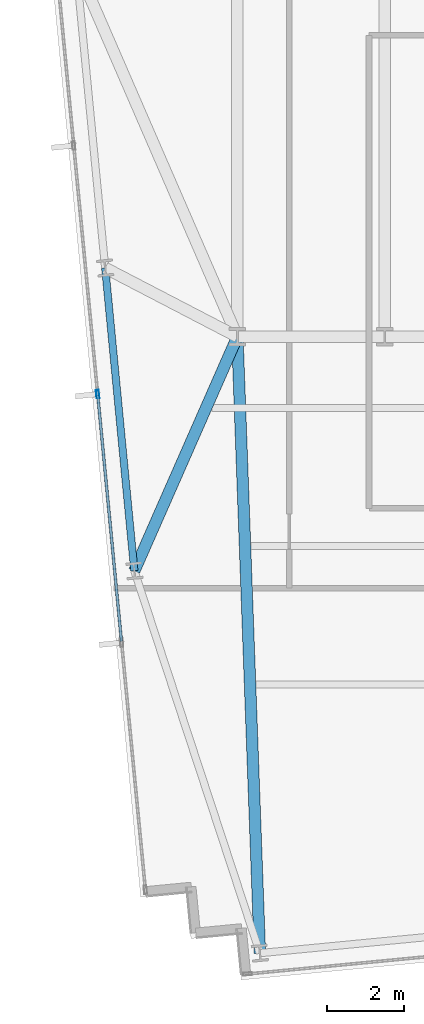
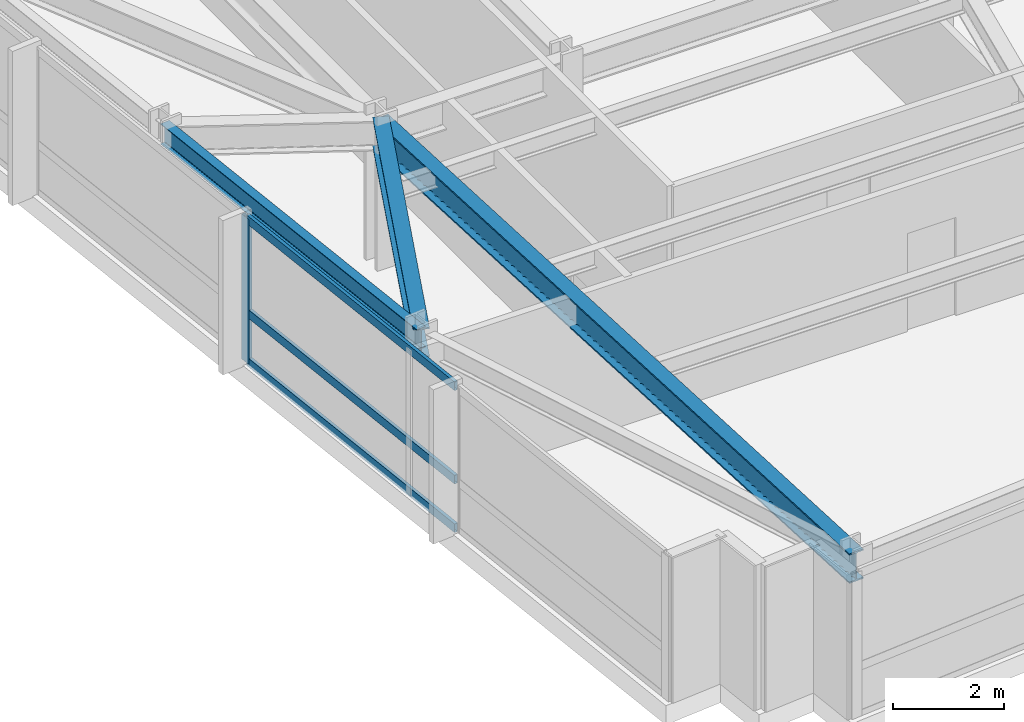
# One storey, part 3 of 33: 4 members, 3 beams, 1 element without a shape of its own.
"""IFC4 building model written with IfcOpenShell, lengths in metres."""

from ifc_helpers import new_model, si_unit, direction, frame, origin, origin_2d, place, context, subcontext, project, spatial, hollow_rectangle, i_section, extrude, material, material_profile, profile_set, type_object, element, aggregate, save


model = new_model("IFC4")

# Units and contexts
model_context = context("Model", 3, precision=1e-05, world=origin(), true_north=direction((0.0, 1.0)))
body_context = subcontext(model_context, "Body", "Model", "MODEL_VIEW")
ifc_project = project(units=[si_unit("LENGTHUNIT", "METRE"), si_unit("AREAUNIT", "SQUARE_METRE"), si_unit("VOLUMEUNIT", "CUBIC_METRE"), si_unit("PLANEANGLEUNIT", "RADIAN"), si_unit("MASSUNIT", "GRAM", prefix="KILO")], contexts=[model_context])

# Site, building, storey
site_placement = place(None, origin())
site = spatial("IfcSite", under=ifc_project, at=site_placement, CompositionType="ELEMENT")
building_placement = place(site_placement, origin())
building = spatial("IfcBuilding", under=site, at=building_placement, Name="Yelkora Congress Tower", CompositionType="ELEMENT")
storey_placement = place(building_placement, frame((0.0, 0.0, 89.699951171875)))
storey = spatial("IfcBuildingStorey", under=building, at=storey_placement, Name="L23", CompositionType="ELEMENT", Elevation=89.699951171875)

# Beams
ifc_material_1 = material(Name="Steel S355J2", Category="steel")
ifc_material_profile_1 = material_profile(ifc_material_1, i_section(OverallWidth=0.300048828125, OverallDepth=0.64990234375, WebThickness=0.01611328125, FlangeThickness=0.031005859375, FilletRadius=0.027099609375, at=origin_2d()), Name="HEB 650")
ifc_profile_set_1 = profile_set([ifc_material_profile_1], Name="Steel S355J2")
beam_type_1 = type_object("IfcBeamType", Name="BM-GIRD-HEB650", PredefinedType="BEAM", material=ifc_profile_set_1)
beam_1_placement = place(storey_placement, frame((19.785888671875, 9.144287109375, 2.85498046875), z_axis=(-0.03646985294, 0.999334753637, 0.0), x_axis=(-0.999334753637, -0.03646985294, 0.0)))
element("IfcBeam", 1, at=beam_1_placement, inside=storey, type_object=beam_type_1, Name="L23 Primary Frame Girder S01", PredefinedType="BEAM", context=body_context, shape_type="SweptSolid", body=[
    extrude(i_section(OverallWidth=0.300048828125, OverallDepth=0.64990234375, WebThickness=0.01611328125, FlangeThickness=0.031005859375, FilletRadius=0.027099609375, at=origin_2d()), origin(), (0.0, 0.0, 1.0), 16.06640625),
])
beam_2_placement = place(storey_placement, frame((16.5166015625, 19.101806640625, 2.85498046875), z_axis=(0.402759490709, 0.915305846504, 0.0), x_axis=(-0.915305846504, 0.402759490709, 0.0)))
element("IfcBeam", 2, at=beam_2_placement, inside=storey, type_object=beam_type_1, Name="L23 Primary Frame Girder W01", PredefinedType="BEAM", context=body_context, shape_type="SweptSolid", body=[
    extrude(i_section(OverallWidth=0.300048828125, OverallDepth=0.64990234375, WebThickness=0.01611328125, FlangeThickness=0.031005859375, FilletRadius=0.027099609375, at=origin_2d()), origin(), (0.0, 0.0, 1.0), 6.662353515625),
])
ifc_material_profile_2 = material_profile(ifc_material_1, i_section(OverallWidth=0.18994140625, OverallDepth=0.449951171875, WebThickness=0.009521484375, FlangeThickness=0.0146484375, FilletRadius=0.02099609375, at=origin_2d()), Name="IPE 450")
ifc_profile_set_2 = profile_set([ifc_material_profile_2], Name="Steel S355J2")
beam_type_2 = type_object("IfcBeamType", Name="BM-SPAN-IPE450", PredefinedType="SPANDREL", material=ifc_profile_set_2)
beam_3_placement = place(storey_placement, frame((15.757080078125, 26.990478515625, 2.955078125), z_axis=(0.09583684824, -0.995397055712, 0.0), x_axis=(0.995397055712, 0.09583684824, 0.0)))
element("IfcBeam", 3, at=beam_3_placement, inside=storey, type_object=beam_type_2, Name="L23 Perimeter Beam 1", PredefinedType="SPANDREL", context=body_context, shape_type="SweptSolid", body=[
    extrude(i_section(OverallWidth=0.18994140625, OverallDepth=0.449951171875, WebThickness=0.009521484375, FlangeThickness=0.0146484375, FilletRadius=0.02099609375, at=origin_2d()), origin(), (0.0, 0.0, 1.0), 7.925048828125),
])

# Curtain wall, members
ifc_material_2 = material(Name="Anodised aluminium and insulated glass", Category="aluminium")
curtain_wall_type = type_object("IfcCurtainWallType", Name="CW-SYS-SKY", PredefinedType="NOTDEFINED", material=ifc_material_2)
curtain_wall_placement = place(storey_placement, origin())
curtain_wall = element("IfcCurtainWall", 4, at=curtain_wall_placement, inside=storey, type_object=curtain_wall_type, Name="L23 Unitised Curtain Wall 5", PredefinedType="NOTDEFINED")
ifc_material_3 = material(Name="Anodised aluminium 6063-T6", Category="aluminium")
ifc_material_profile_3 = material_profile(ifc_material_3, hollow_rectangle(XDim=0.074951171875, YDim=0.219970703125, WallThickness=0.0048828125, at=origin_2d()), Name="ALU 75x220x5")
ifc_profile_set_3 = profile_set([ifc_material_profile_3], Name="Anodised aluminium 6063-T6")
member_type_1 = type_object("IfcMemberType", Name="MEM-ML-SKY", PredefinedType="MULLION", material=ifc_profile_set_3)
member_1_placement = place(storey_placement, frame((15.56103515625, 23.70458984375, 0.0), z_axis=(0.0, 0.0, 1.0), x_axis=(-0.995396507508, -0.095842541913, 0.0)))
member_1 = element("IfcMember", 5, at=member_1_placement, type_object=member_type_1, Name="CW-SKY mullion 3", PredefinedType="MULLION", context=body_context, shape_type="SweptSolid", body=[
    extrude(hollow_rectangle(XDim=0.074951171875, YDim=0.219970703125, WallThickness=0.0048828125, at=origin_2d()), origin(), (0.0, 0.0, 1.0), 3.179931640625),
])
ifc_material_profile_4 = material_profile(ifc_material_3, hollow_rectangle(XDim=0.070068359375, YDim=0.18994140625, WallThickness=0.00390625, at=origin_2d()), Name="ALU 70x190x4")
ifc_profile_set_4 = profile_set([ifc_material_profile_4], Name="Anodised aluminium 6063-T6")
member_type_2 = type_object("IfcMemberType", Name="MEM-TR-SKY", PredefinedType="USERDEFINED", material=ifc_profile_set_4)
member_2_placement = place(storey_placement, frame((16.1806640625, 17.267822265625, 0.03515625), z_axis=(-0.095848441597, 0.995395939435, 0.0), x_axis=(-0.995395939435, -0.095848441597, 0.0)))
member_2 = element("IfcMember", 6, at=member_2_placement, type_object=member_type_2, Name="CW-SKY transom 2.1", ObjectType="TRANSOM", PredefinedType="USERDEFINED", context=body_context, shape_type="SweptSolid", body=[
    extrude(hollow_rectangle(XDim=0.070068359375, YDim=0.18994140625, WallThickness=0.00390625, at=origin_2d()), origin(), (0.0, 0.0, 1.0), 6.428955078125),
])
member_3_placement = place(storey_placement, frame((16.1806640625, 17.267822265625, 1.10009765625), z_axis=(-0.095848441597, 0.995395939435, 0.0), x_axis=(-0.995395939435, -0.095848441597, 0.0)))
member_3 = element("IfcMember", 7, at=member_3_placement, type_object=member_type_2, Name="CW-SKY transom 2.2", ObjectType="TRANSOM", PredefinedType="USERDEFINED", context=body_context, shape_type="SweptSolid", body=[
    extrude(hollow_rectangle(XDim=0.070068359375, YDim=0.18994140625, WallThickness=0.00390625, at=origin_2d()), origin(), (0.0, 0.0, 1.0), 6.428955078125),
])
member_4_placement = place(storey_placement, frame((16.1806640625, 17.267822265625, 3.14501953125), z_axis=(-0.095848441597, 0.995395939435, 0.0), x_axis=(-0.995395939435, -0.095848441597, 0.0)))
member_4 = element("IfcMember", 8, at=member_4_placement, type_object=member_type_2, Name="CW-SKY transom 2.3", ObjectType="TRANSOM", PredefinedType="USERDEFINED", context=body_context, shape_type="SweptSolid", body=[
    extrude(hollow_rectangle(XDim=0.070068359375, YDim=0.18994140625, WallThickness=0.00390625, at=origin_2d()), origin(), (0.0, 0.0, 1.0), 6.428955078125),
])
aggregate(curtain_wall, [member_1, member_2, member_3, member_4])

save(model, "model.ifc")
